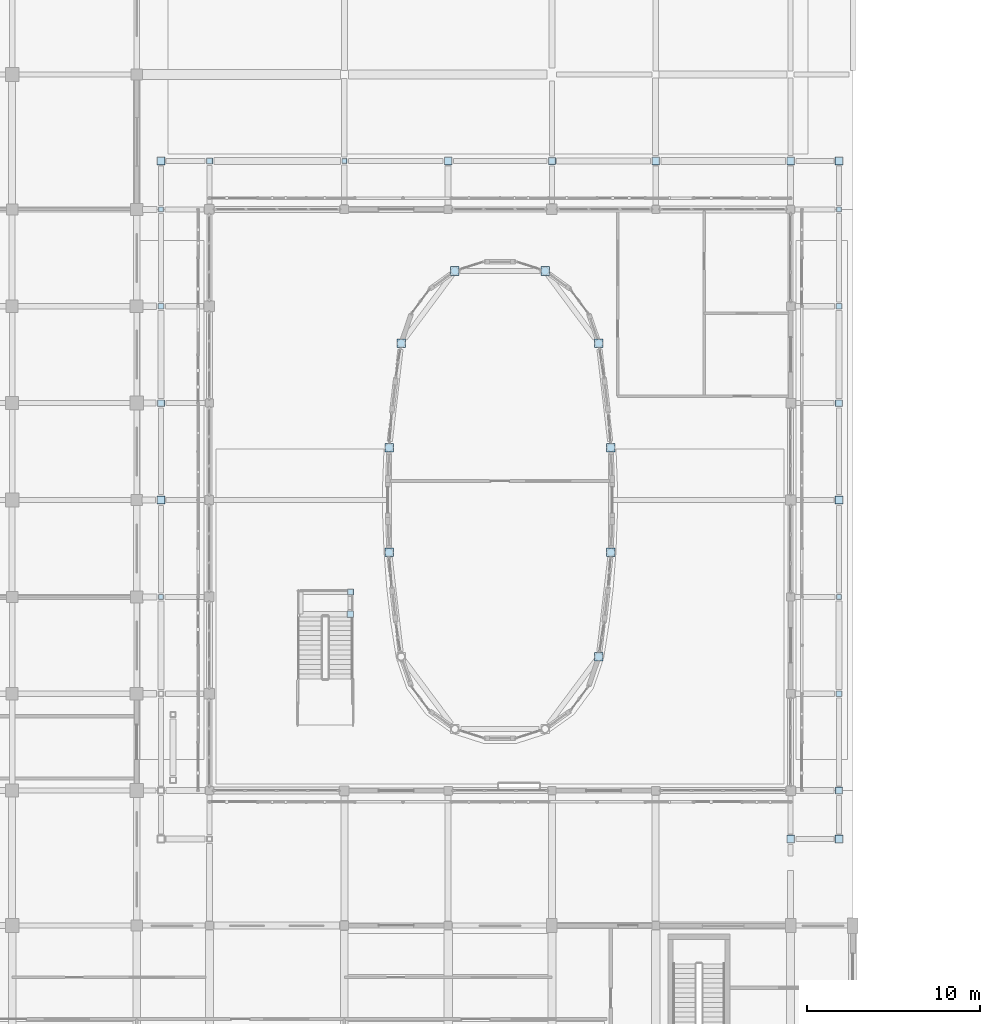
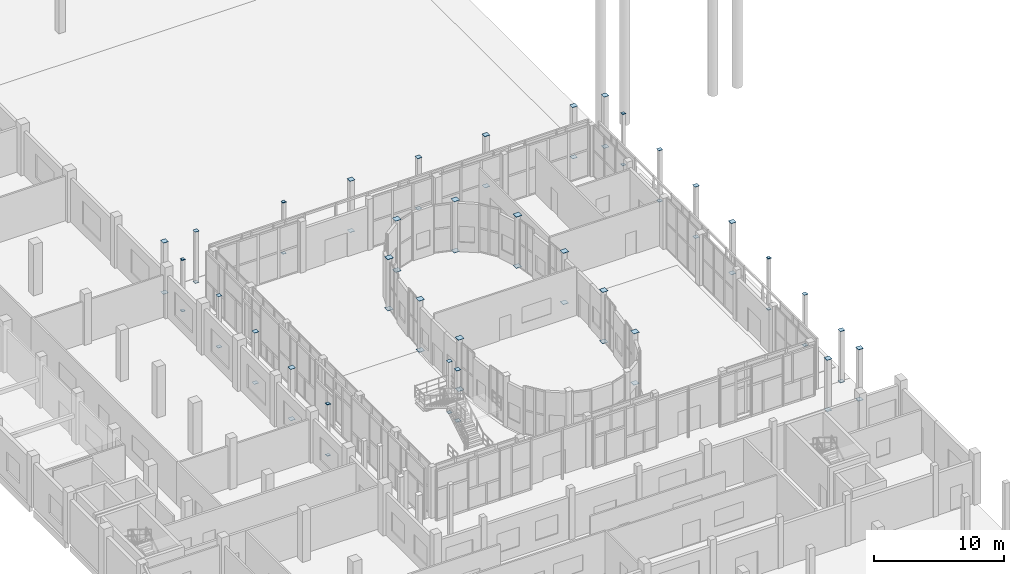
# One storey, part 60 of 91: 66 plates.
"""IFC4 building model written with IfcOpenShell, lengths in metres."""

from ifc_helpers import new_model, si_unit, direction, frame, origin, origin_2d, place, context, subcontext, project, spatial, rectangle, extrude, material, material_profile, profile_set, type_object, element, save


model = new_model("IFC4")

# Units and contexts
model_context = context("Model", 3, precision=1e-05, world=origin(), true_north=direction((0.0, 1.0)))
body_context = subcontext(model_context, "Body", "Model", "MODEL_VIEW")
ifc_project = project(units=[si_unit("LENGTHUNIT", "METRE"), si_unit("AREAUNIT", "SQUARE_METRE"), si_unit("VOLUMEUNIT", "CUBIC_METRE"), si_unit("PLANEANGLEUNIT", "RADIAN"), si_unit("MASSUNIT", "GRAM", prefix="KILO")], contexts=[model_context])

# Site, building, storey
site_placement = place(None, origin())
site = spatial("IfcSite", under=ifc_project, at=site_placement, CompositionType="ELEMENT")
building_placement = place(site_placement, origin())
building = spatial("IfcBuilding", under=site, at=building_placement, Name="Vinh Khe Railworks Police Headquarters", CompositionType="ELEMENT")
storey_placement = place(building_placement, origin())
storey = spatial("IfcBuildingStorey", under=building, at=storey_placement, Name="L00", CompositionType="ELEMENT", Elevation=0.0)

# Plates
ifc_material = material(Name="Steel S355JR", Category="steel")
ifc_material_profile_1 = material_profile(ifc_material, rectangle(XDim=0.2900390625, YDim=0.2900390625, at=origin_2d()), Name="PL 290x290")
ifc_profile_set_1 = profile_set([ifc_material_profile_1], Name="Steel S355JR")
plate_type_1 = type_object("IfcPlateType", Name="Steel End-Cap Plate 290x290x24", PredefinedType="SHEET", material=ifc_profile_set_1)
for number, where, z_axis, x_axis, name in (
    (1, (23.60009765625, 36.39990234375, 0.0), (0.0, 0.0, -1.0), (1.0, 0.0, 0.0), "End-Cap Gusset Plate PLT-EP-0158"),
    (2, (23.60009765625, 36.39990234375, 4.800048828125), (0.0, 0.0, 1.0), (1.0, 0.0, 0.0), "End-Cap Gusset Plate PLT-EP-0160"),
    (3, (23.60009765625, 58.800048828125, 0.0), (0.0, 0.0, -1.0), (1.0, 0.0, 0.0), "End-Cap Gusset Plate PLT-EP-0195"),
    (4, (23.60009765625, 58.800048828125, 4.800048828125), (0.0, 0.0, 1.0), (1.0, 0.0, 0.0), "End-Cap Gusset Plate PLT-EP-0197"),
    (5, (34.199951171875, 61.60009765625, 0.0), (0.0, 0.0, -1.0), (1.0, 0.0, 0.0), "End-Cap Gusset Plate PLT-EP-0306"),
    (6, (34.199951171875, 61.60009765625, 4.800048828125), (0.0, 0.0, 1.0), (1.0, 0.0, 0.0), "End-Cap Gusset Plate PLT-EP-0308"),
    (7, (62.800048828125, 36.39990234375, 0.0), (0.0, 0.0, -1.0), (1.0, 0.0, 0.0), "End-Cap Gusset Plate PLT-EP-0606"),
    (8, (62.800048828125, 36.39990234375, 4.800048828125), (0.0, 0.0, 1.0), (1.0, 0.0, 0.0), "End-Cap Gusset Plate PLT-EP-0608"),
    (9, (62.800048828125, 58.800048828125, 0.0), (0.0, 0.0, -1.0), (1.0, 0.0, 0.0), "End-Cap Gusset Plate PLT-EP-0643"),
    (10, (62.800048828125, 58.800048828125, 4.800048828125), (0.0, 0.0, 1.0), (1.0, 0.0, 0.0), "End-Cap Gusset Plate PLT-EP-0645"),
):
    element("IfcPlate", number, at=place(storey_placement, frame(where, z_axis=z_axis, x_axis=x_axis)), inside=storey, type_object=plate_type_1, Name=name, PredefinedType="SHEET", context=body_context, shape_type="SweptSolid", body=[
        extrude(rectangle(XDim=0.2900390625, YDim=0.2900390625, at=origin_2d()), origin(), (0.0, 0.0, 1.0), 0.02392578125),
    ])
ifc_material_profile_2 = material_profile(ifc_material, rectangle(XDim=0.340087890625, YDim=0.340087890625, at=origin_2d()), Name="PL 340x340")
ifc_profile_set_2 = profile_set([ifc_material_profile_2], Name="Steel S355JR")
plate_type_2 = type_object("IfcPlateType", Name="Steel End-Cap Plate 340x340x24", PredefinedType="SHEET", material=ifc_profile_set_2)
for number, where, z_axis, x_axis, name in (
    (11, (23.60009765625, 53.199951171875, 0.0), (0.0, 0.0, -1.0), (1.0, 0.0, 0.0), "End-Cap Gusset Plate PLT-EP-0186"),
    (12, (23.60009765625, 53.199951171875, 4.800048828125), (0.0, 0.0, 1.0), (1.0, 0.0, 0.0), "End-Cap Gusset Plate PLT-EP-0188"),
    (13, (26.39990234375, 61.60009765625, 0.0), (0.0, 0.0, -1.0), (1.0, 0.0, 0.0), "End-Cap Gusset Plate PLT-EP-0244"),
    (14, (26.39990234375, 61.60009765625, 4.800048828125), (0.0, 0.0, 1.0), (1.0, 0.0, 0.0), "End-Cap Gusset Plate PLT-EP-0246"),
    (15, (34.550048828125, 36.679931640625, 0.0), (0.0, 0.0, -1.0), (1.0, 0.0, 0.0), "End-Cap Gusset Plate PLT-EP-0320"),
    (16, (34.550048828125, 36.679931640625, 4.800048828125), (0.0, 0.0, 1.0), (1.0, 0.0, 0.0), "End-Cap Gusset Plate PLT-EP-0322"),
    (17, (62.800048828125, 30.800048828125, 0.0), (0.0, 0.0, -1.0), (1.0, 0.0, 0.0), "End-Cap Gusset Plate PLT-EP-0598"),
    (18, (62.800048828125, 30.800048828125, 4.800048828125), (0.0, 0.0, 1.0), (1.0, 0.0, 0.0), "End-Cap Gusset Plate PLT-EP-0600"),
    (19, (62.800048828125, 53.199951171875, 0.0), (0.0, 0.0, -1.0), (1.0, 0.0, 0.0), "End-Cap Gusset Plate PLT-EP-0634"),
    (20, (62.800048828125, 53.199951171875, 4.800048828125), (0.0, 0.0, 1.0), (1.0, 0.0, 0.0), "End-Cap Gusset Plate PLT-EP-0636"),
):
    element("IfcPlate", number, at=place(storey_placement, frame(where, z_axis=z_axis, x_axis=x_axis)), inside=storey, type_object=plate_type_2, Name=name, PredefinedType="SHEET", context=body_context, shape_type="SweptSolid", body=[
        extrude(rectangle(XDim=0.340087890625, YDim=0.340087890625, at=origin_2d()), origin(), (0.0, 0.0, 1.0), 0.02392578125),
    ])
ifc_material_profile_3 = material_profile(ifc_material, rectangle(XDim=0.389892578125, YDim=0.389892578125, at=origin_2d()), Name="PL 390x390")
ifc_profile_set_3 = profile_set([ifc_material_profile_3], Name="Steel S355JR")
plate_type_3 = type_object("IfcPlateType", Name="Steel End-Cap Plate 390x390x24", PredefinedType="SHEET", material=ifc_profile_set_3)
for number, where, z_axis, x_axis, name in (
    (21, (23.60009765625, 47.60009765625, 0.0), (0.0, 0.0, -1.0), (1.0, 0.0, 0.0), "End-Cap Gusset Plate PLT-EP-0177"),
    (22, (23.60009765625, 47.60009765625, 4.800048828125), (0.0, 0.0, 1.0), (1.0, 0.0, 0.0), "End-Cap Gusset Plate PLT-EP-0179"),
    (23, (34.550048828125, 35.39990234375, 0.0), (0.0, 0.0, -1.0), (1.0, 0.0, 0.0), "End-Cap Gusset Plate PLT-EP-0314"),
    (24, (34.550048828125, 35.39990234375, 4.800048828125), (0.0, 0.0, 1.0), (1.0, 0.0, 0.0), "End-Cap Gusset Plate PLT-EP-0316"),
    (25, (46.199951171875, 61.60009765625, 0.0), (0.0, 0.0, -1.0), (1.0, 0.0, 0.0), "End-Cap Gusset Plate PLT-EP-0450"),
    (26, (46.199951171875, 61.60009765625, 4.800048828125), (0.0, 0.0, 1.0), (1.0, 0.0, 0.0), "End-Cap Gusset Plate PLT-EP-0452"),
    (27, (62.800048828125, 25.199951171875, 0.0), (0.0, 0.0, -1.0), (1.0, 0.0, 0.0), "End-Cap Gusset Plate PLT-EP-0589"),
    (28, (62.800048828125, 25.199951171875, 4.800048828125), (0.0, 0.0, 1.0), (1.0, 0.0, 0.0), "End-Cap Gusset Plate PLT-EP-0591"),
    (29, (62.800048828125, 47.60009765625, 0.0), (0.0, 0.0, -1.0), (1.0, 0.0, 0.0), "End-Cap Gusset Plate PLT-EP-0625"),
    (30, (62.800048828125, 47.60009765625, 4.800048828125), (0.0, 0.0, 1.0), (1.0, 0.0, 0.0), "End-Cap Gusset Plate PLT-EP-0627"),
):
    element("IfcPlate", number, at=place(storey_placement, frame(where, z_axis=z_axis, x_axis=x_axis)), inside=storey, type_object=plate_type_3, Name=name, PredefinedType="SHEET", context=body_context, shape_type="SweptSolid", body=[
        extrude(rectangle(XDim=0.389892578125, YDim=0.389892578125, at=origin_2d()), origin(), (0.0, 0.0, 1.0), 0.02392578125),
    ])
ifc_material_profile_4 = material_profile(ifc_material, rectangle(XDim=0.43994140625, YDim=0.43994140625, at=origin_2d()), Name="PL 440x440")
ifc_profile_set_4 = profile_set([ifc_material_profile_4], Name="Steel S355JR")
plate_type_4 = type_object("IfcPlateType", Name="Steel End-Cap Plate 440x440x24", PredefinedType="SHEET", material=ifc_profile_set_4)
for number, where, z_axis, x_axis, name in (
    (31, (23.60009765625, 42.0, 0.0), (0.0, 0.0, -1.0), (1.0, 0.0, 0.0), "End-Cap Gusset Plate PLT-EP-0167"),
    (32, (23.60009765625, 42.0, 4.800048828125), (0.0, 0.0, 1.0), (1.0, 0.0, 0.0), "End-Cap Gusset Plate PLT-EP-0169"),
    (33, (23.60009765625, 61.60009765625, 0.0), (0.0, 0.0, -1.0), (1.0, 0.0, 0.0), "End-Cap Gusset Plate PLT-EP-0203"),
    (34, (23.60009765625, 61.60009765625, 4.800048828125), (0.0, 0.0, 1.0), (1.0, 0.0, 0.0), "End-Cap Gusset Plate PLT-EP-0205"),
    (35, (40.199951171875, 61.60009765625, 0.0), (0.0, 0.0, -1.0), (1.0, 0.0, 0.0), "End-Cap Gusset Plate PLT-EP-0380"),
    (36, (40.199951171875, 61.60009765625, 4.800048828125), (0.0, 0.0, 1.0), (1.0, 0.0, 0.0), "End-Cap Gusset Plate PLT-EP-0382"),
    (37, (52.199951171875, 61.60009765625, 0.0), (0.0, 0.0, -1.0), (1.0, 0.0, 0.0), "End-Cap Gusset Plate PLT-EP-0520"),
    (38, (52.199951171875, 61.60009765625, 4.800048828125), (0.0, 0.0, 1.0), (1.0, 0.0, 0.0), "End-Cap Gusset Plate PLT-EP-0522"),
    (39, (60.0, 22.39990234375, 0.0), (0.0, 0.0, -1.0), (1.0, 0.0, 0.0), "End-Cap Gusset Plate PLT-EP-0550"),
    (40, (60.0, 22.39990234375, 4.800048828125), (0.0, 0.0, 1.0), (1.0, 0.0, 0.0), "End-Cap Gusset Plate PLT-EP-0552"),
    (41, (60.0, 61.60009765625, 0.0), (0.0, 0.0, -1.0), (1.0, 0.0, 0.0), "End-Cap Gusset Plate PLT-EP-0571"),
    (42, (60.0, 61.60009765625, 4.800048828125), (0.0, 0.0, 1.0), (1.0, 0.0, 0.0), "End-Cap Gusset Plate PLT-EP-0573"),
    (43, (62.800048828125, 22.39990234375, 0.0), (0.0, 0.0, -1.0), (1.0, 0.0, 0.0), "End-Cap Gusset Plate PLT-EP-0581"),
    (44, (62.800048828125, 22.39990234375, 4.800048828125), (0.0, 0.0, 1.0), (1.0, 0.0, 0.0), "End-Cap Gusset Plate PLT-EP-0583"),
    (45, (62.800048828125, 42.0, 0.0), (0.0, 0.0, -1.0), (1.0, 0.0, 0.0), "End-Cap Gusset Plate PLT-EP-0615"),
    (46, (62.800048828125, 42.0, 4.800048828125), (0.0, 0.0, 1.0), (1.0, 0.0, 0.0), "End-Cap Gusset Plate PLT-EP-0617"),
    (47, (62.800048828125, 61.60009765625, 0.0), (0.0, 0.0, -1.0), (1.0, 0.0, 0.0), "End-Cap Gusset Plate PLT-EP-0651"),
    (48, (62.800048828125, 61.60009765625, 4.800048828125), (0.0, 0.0, 1.0), (1.0, 0.0, 0.0), "End-Cap Gusset Plate PLT-EP-0653"),
):
    element("IfcPlate", number, at=place(storey_placement, frame(where, z_axis=z_axis, x_axis=x_axis)), inside=storey, type_object=plate_type_4, Name=name, PredefinedType="SHEET", context=body_context, shape_type="SweptSolid", body=[
        extrude(rectangle(XDim=0.43994140625, YDim=0.43994140625, at=origin_2d()), origin(), (0.0, 0.0, 1.0), 0.02392578125),
    ])
ifc_material_profile_5 = material_profile(ifc_material, rectangle(XDim=0.4970703125, YDim=0.4970703125, at=origin_2d()), Name="PL 497x497")
ifc_profile_set_5 = profile_set([ifc_material_profile_5], Name="Steel S355JR")
plate_type_5 = type_object("IfcPlateType", Name="Steel End-Cap Plate 497x497x24", PredefinedType="SHEET", material=ifc_profile_set_5)
for number, where, z_axis, x_axis, name in (
    (49, (36.78759765625, 38.968017578125, 0.0), (0.0, 0.0, -1.0), (1.0, 0.0, 0.0), "End-Cap Gusset Plate PLT-EP-0334"),
    (50, (36.78759765625, 38.968017578125, 4.800048828125), (0.0, 0.0, 1.0), (1.0, 0.0, 0.0), "End-Cap Gusset Plate PLT-EP-0336"),
    (51, (36.78759765625, 45.031982421875, 0.0), (0.0, 0.0, -1.0), (1.0, 0.0, 0.0), "End-Cap Gusset Plate PLT-EP-0342"),
    (52, (36.78759765625, 45.031982421875, 4.800048828125), (0.0, 0.0, 1.0), (1.0, 0.0, 0.0), "End-Cap Gusset Plate PLT-EP-0344"),
    (53, (37.48681640625, 51.055908203125, 0.0), (0.0, 0.0, -1.0), (1.0, 0.0, 0.0), "End-Cap Gusset Plate PLT-EP-0358"),
    (54, (37.48681640625, 51.055908203125, 4.800048828125), (0.0, 0.0, 1.0), (1.0, 0.0, 0.0), "End-Cap Gusset Plate PLT-EP-0360"),
    (55, (40.594970703125, 55.237548828125, 0.0), (0.0, 0.0, -1.0), (1.0, 0.0, 0.0), "End-Cap Gusset Plate PLT-EP-0404"),
    (56, (40.594970703125, 55.237548828125, 4.800048828125), (0.0, 0.0, 1.0), (1.0, 0.0, 0.0), "End-Cap Gusset Plate PLT-EP-0406"),
    (57, (45.80517578125, 55.237548828125, 0.0), (0.0, 0.0, -1.0), (1.0, 0.0, 0.0), "End-Cap Gusset Plate PLT-EP-0434"),
    (58, (45.80517578125, 55.237548828125, 4.800048828125), (0.0, 0.0, 1.0), (1.0, 0.0, 0.0), "End-Cap Gusset Plate PLT-EP-0436"),
    (59, (48.9130859375, 32.944091796875, 0.0), (0.0, 0.0, -1.0), (1.0, 0.0, 0.0), "End-Cap Gusset Plate PLT-EP-0480"),
    (60, (48.9130859375, 32.944091796875, 4.800048828125), (0.0, 0.0, 1.0), (1.0, 0.0, 0.0), "End-Cap Gusset Plate PLT-EP-0482"),
    (61, (48.9130859375, 51.055908203125, 0.0), (0.0, 0.0, -1.0), (1.0, 0.0, 0.0), "End-Cap Gusset Plate PLT-EP-0488"),
    (62, (48.9130859375, 51.055908203125, 4.800048828125), (0.0, 0.0, 1.0), (1.0, 0.0, 0.0), "End-Cap Gusset Plate PLT-EP-0490"),
    (63, (49.6123046875, 38.968017578125, 0.0), (0.0, 0.0, -1.0), (1.0, 0.0, 0.0), "End-Cap Gusset Plate PLT-EP-0496"),
    (64, (49.6123046875, 38.968017578125, 4.800048828125), (0.0, 0.0, 1.0), (1.0, 0.0, 0.0), "End-Cap Gusset Plate PLT-EP-0498"),
    (65, (49.6123046875, 45.031982421875, 0.0), (0.0, 0.0, -1.0), (1.0, 0.0, 0.0), "End-Cap Gusset Plate PLT-EP-0504"),
    (66, (49.6123046875, 45.031982421875, 4.800048828125), (0.0, 0.0, 1.0), (1.0, 0.0, 0.0), "End-Cap Gusset Plate PLT-EP-0506"),
):
    element("IfcPlate", number, at=place(storey_placement, frame(where, z_axis=z_axis, x_axis=x_axis)), inside=storey, type_object=plate_type_5, Name=name, PredefinedType="SHEET", context=body_context, shape_type="SweptSolid", body=[
        extrude(rectangle(XDim=0.4970703125, YDim=0.4970703125, at=origin_2d()), origin(), (0.0, 0.0, 1.0), 0.02392578125),
    ])

save(model, "model.ifc")
